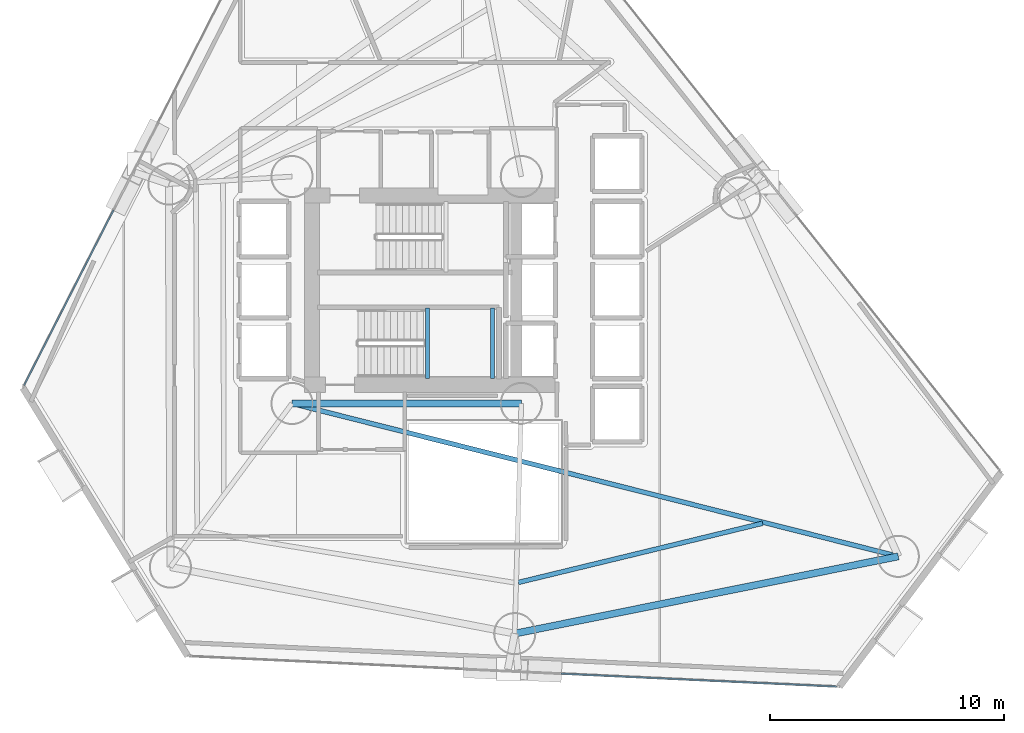
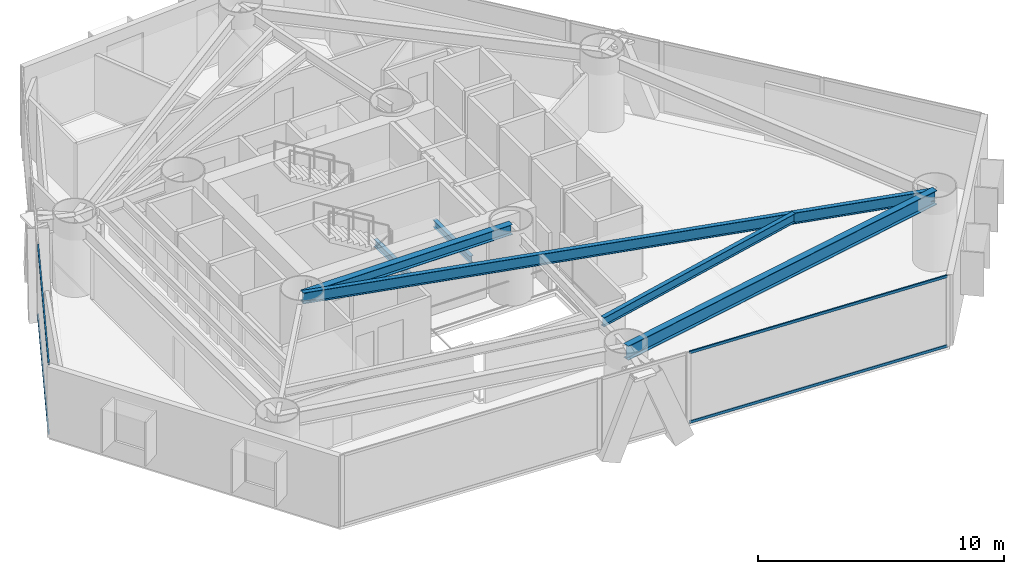
# One storey, part 6 of 23: 6 beams, 4 members, 2 elements without a shape of their own.
"""IFC4 building model written with IfcOpenShell, lengths in metres."""

from ifc_helpers import new_model, si_unit, direction, frame, origin, origin_2d, place, context, subcontext, project, spatial, hollow_rectangle, i_section, extrude, material, layer, layer_set, material_profile, profile_set, type_object, element, aggregate, save


model = new_model("IFC4")

# Units and contexts
model_context = context("Model", 3, precision=1e-05, world=origin(), true_north=direction((0.0, 1.0)))
body_context = subcontext(model_context, "Body", "Model", "MODEL_VIEW")
ifc_project = project(units=[si_unit("LENGTHUNIT", "METRE"), si_unit("AREAUNIT", "SQUARE_METRE"), si_unit("VOLUMEUNIT", "CUBIC_METRE"), si_unit("PLANEANGLEUNIT", "RADIAN"), si_unit("MASSUNIT", "GRAM", prefix="KILO")], contexts=[model_context])

# Site, building, storey
site_placement = place(None, origin())
site = spatial("IfcSite", under=ifc_project, at=site_placement, CompositionType="ELEMENT")
building_placement = place(site_placement, origin())
building = spatial("IfcBuilding", under=site, at=building_placement, Name="Qianvela Tower", CompositionType="ELEMENT")
storey_placement = place(building_placement, frame((0.0, 0.0, 29.39990234375)))
storey = spatial("IfcBuildingStorey", under=building, at=storey_placement, Name="L06", CompositionType="ELEMENT", Elevation=29.39990234375)

# Beams
ifc_material_1 = material(Name="Steel Q355B", Category="steel")
ifc_material_profile_1 = material_profile(ifc_material_1, i_section(OverallWidth=0.300048828125, OverallDepth=0.5, WebThickness=0.010986328125, FlangeThickness=0.01806640625, at=origin_2d()), Name="HM500x300x11x18")
ifc_profile_set_1 = profile_set([ifc_material_profile_1], Name="Steel Q355B")
beam_type_1 = type_object("IfcBeamType", Name="BM-HM500-COLL", PredefinedType="BEAM", material=ifc_profile_set_1)
beam_1_placement = place(storey_placement, frame((28.60009765625, 23.85009765625, 3.26806640625), z_axis=(1.0, 0.0, 0.0), x_axis=(0.0, 1.0, 0.0)))
element("IfcBeam", 1, at=beam_1_placement, inside=storey, type_object=beam_type_1, Name="L06 Core Ring Collector Girder CC1", PredefinedType="BEAM", context=body_context, shape_type="SweptSolid", body=[
    extrude(i_section(OverallWidth=0.300048828125, OverallDepth=0.5, WebThickness=0.010986328125, FlangeThickness=0.01806640625, at=origin_2d()), origin(), (0.0, 0.0, 1.0), 9.7998046875),
])
ifc_material_2 = material(Name="Steel Q355B", Category="steel")
ifc_material_profile_2 = material_profile(ifc_material_2, i_section(OverallWidth=0.175048828125, OverallDepth=0.35009765625, WebThickness=0.007080078125, FlangeThickness=0.010986328125, at=origin_2d()), Name="HN350x175x7x11")
ifc_profile_set_2 = profile_set([ifc_material_profile_2], Name="Steel Q355B")
beam_type_2 = type_object("IfcBeamType", Name="BM-HN350-JOIST", PredefinedType="JOIST", material=ifc_profile_set_2)
for number, where, z_axis, x_axis, name in (
    (2, (34.39990234375, 24.919921875, 1.47509765625), (0.0, 1.0, 0.0), (-1.0, 0.0, 0.0), "L06 Stair ST-2 Landing Support Beam 1.1"),
    (3, (37.169921875, 24.919921875, 1.47509765625), (0.0, 1.0, 0.0), (-1.0, 0.0, 0.0), "L06 Stair ST-2 Landing Support Beam 1.2"),
):
    element("IfcBeam", number, at=place(storey_placement, frame(where, z_axis=z_axis, x_axis=x_axis)), inside=storey, type_object=beam_type_2, Name=name, PredefinedType="JOIST", context=body_context, shape_type="SweptSolid", body=[
        extrude(i_section(OverallWidth=0.175048828125, OverallDepth=0.35009765625, WebThickness=0.007080078125, FlangeThickness=0.010986328125, at=origin_2d()), origin(), (0.0, 0.0, 1.0), 3.02001953125),
    ])
ifc_material_3 = material(Name="Steel Q355B", Category="steel")
ifc_material_profile_3 = material_profile(ifc_material_3, i_section(OverallWidth=0.199951171875, OverallDepth=0.449951171875, WebThickness=0.009033203125, FlangeThickness=0.013916015625, at=origin_2d()), Name="HN450x200x9x14")
ifc_profile_set_3 = profile_set([ifc_material_profile_3], Name="Steel Q355B")
beam_type_3 = type_object("IfcBeamType", Name="BM-HN450-JOIST", PredefinedType="JOIST", material=ifc_profile_set_3)
beam_2_placement = place(storey_placement, frame((38.27490234375, 16.2021484375, 3.293212890625), z_axis=(0.97189533292, 0.235413385024, 0.0), x_axis=(-0.235413385024, 0.97189533292, 0.0)))
element("IfcBeam", 4, at=beam_2_placement, inside=storey, type_object=beam_type_3, Name="L06 Secondary Composite Floor Joist 6.3", PredefinedType="JOIST", context=body_context, shape_type="SweptSolid", body=[
    extrude(i_section(OverallWidth=0.199951171875, OverallDepth=0.449951171875, WebThickness=0.009033203125, FlangeThickness=0.013916015625, at=origin_2d()), origin(), (0.0, 0.0, 1.0), 10.7451171875),
])
ifc_material_4 = material(Name="Steel Q355B", Category="steel")
ifc_material_profile_4 = material_profile(ifc_material_4, i_section(OverallWidth=0.199951171875, OverallDepth=0.550048828125, WebThickness=0.010009765625, FlangeThickness=0.01611328125, at=origin_2d()), Name="HN550x200x10x16")
ifc_profile_set_4 = profile_set([ifc_material_profile_4], Name="Steel Q355B")
beam_type_4 = type_object("IfcBeamType", Name="BM-HN550-GIRD", PredefinedType="BEAM", material=ifc_profile_set_4)
beam_3_placement = place(storey_placement, frame((28.60009765625, 23.85009765625, 3.2431640625), z_axis=(0.969654189465, -0.244480577661, 0.0), x_axis=(0.244480577661, 0.969654189465, 0.0)))
element("IfcBeam", 5, at=beam_3_placement, inside=storey, type_object=beam_type_4, Name="L06 Radial Primary Floor Girder 1", PredefinedType="BEAM", context=body_context, shape_type="SweptSolid", body=[
    extrude(i_section(OverallWidth=0.199951171875, OverallDepth=0.550048828125, WebThickness=0.010009765625, FlangeThickness=0.01611328125, at=origin_2d()), origin(), (0.0, 0.0, 1.0), 26.722900390625),
])
ifc_material_5 = material(Name="Steel Q355B", Category="steel")
ifc_material_profile_5 = material_profile(ifc_material_5, i_section(OverallWidth=0.300048828125, OverallDepth=0.699951171875, WebThickness=0.012939453125, FlangeThickness=0.02392578125, at=origin_2d()), Name="HN700x300x13x24")
ifc_profile_set_5 = profile_set([ifc_material_profile_5], Name="Steel Q355B")
beam_type_5 = type_object("IfcBeamType", Name="BM-HN700-SPAND", PredefinedType="SPANDREL", material=ifc_profile_set_5)
beam_4_placement = place(storey_placement, frame((38.1201171875, 14.01611328125, 3.168212890625), z_axis=(0.980322065881, 0.197404779951, 0.0), x_axis=(-0.197404779951, 0.980322065881, 0.0)))
element("IfcBeam", 6, at=beam_4_placement, inside=storey, type_object=beam_type_5, Name="L06 Perimeter Ring Spandrel Girder 6", PredefinedType="SPANDREL", context=body_context, shape_type="SweptSolid", body=[
    extrude(i_section(OverallWidth=0.300048828125, OverallDepth=0.699951171875, WebThickness=0.012939453125, FlangeThickness=0.02392578125, at=origin_2d()), origin(), (0.0, 0.0, 1.0), 16.720947265625),
])

# Curtain wall, members
ifc_material_6 = material(Name="Anodised Architectural Aluminium and Low-E Glass", Category="aluminium")
ifc_layer = layer(ifc_material_6, 0.179931640625)
ifc_layer_set = layer_set([ifc_layer], Name="Anodised Architectural Aluminium and Low-E Glass")
curtain_wall_type = type_object("IfcCurtainWallType", Name="CW-COLIV-Z12", PredefinedType="USERDEFINED", material=ifc_layer_set)
curtain_wall_1_placement = place(storey_placement, origin())
curtain_wall_1 = element("IfcCurtainWall", 7, at=curtain_wall_1_placement, inside=storey, type_object=curtain_wall_type, Name="L06 CW-COLIV-Z12 Curtain Wall 04C", ObjectType="CURTAIN_WALL_SYSTEM", PredefinedType="USERDEFINED")
ifc_material_7 = material(Name="Anodised Architectural Aluminium 6063-T6", Category="aluminium")
ifc_material_profile_6 = material_profile(ifc_material_7, hollow_rectangle(XDim=0.06494140625, YDim=0.1298828125, WallThickness=0.00439453125, at=origin_2d()), Name="ALU-TRAN-65x130")
ifc_profile_set_6 = profile_set([ifc_material_profile_6], Name="Anodised Architectural Aluminium 6063-T6")
member_type = type_object("IfcMemberType", Name="CW-COLIV-Z12-TRAN", PredefinedType="USERDEFINED", material=ifc_profile_set_6)
member_1_placement = place(storey_placement, frame((20.97412109375, 32.1171875, 0.03271484375), z_axis=(-0.454616975529, -0.890687041312, 0.0), x_axis=(0.890687041312, -0.454616975529, 0.0)))
member_1 = element("IfcMember", 8, at=member_1_placement, type_object=member_type, Name="CW-3 transom 1.1", ObjectType="TRANSOM", PredefinedType="USERDEFINED", context=body_context, shape_type="SweptSolid", body=[
    extrude(hollow_rectangle(XDim=0.06494140625, YDim=0.1298828125, WallThickness=0.00439453125, at=origin_2d()), origin(), (0.0, 0.0, 1.0), 8.411376953125),
])
member_2_placement = place(storey_placement, frame((20.97412109375, 32.1171875, 3.487548828125), z_axis=(-0.454616975529, -0.890687041312, 0.0), x_axis=(0.890687041312, -0.454616975529, 0.0)))
member_2 = element("IfcMember", 9, at=member_2_placement, type_object=member_type, Name="CW-3 transom 1.2", ObjectType="TRANSOM", PredefinedType="USERDEFINED", context=body_context, shape_type="SweptSolid", body=[
    extrude(hollow_rectangle(XDim=0.06494140625, YDim=0.1298828125, WallThickness=0.00439453125, at=origin_2d()), origin(), (0.0, 0.0, 1.0), 8.411376953125),
])
aggregate(curtain_wall_1, [member_1, member_2])

curtain_wall_2_placement = place(storey_placement, origin())
curtain_wall_2 = element("IfcCurtainWall", 10, at=curtain_wall_2_placement, inside=storey, type_object=curtain_wall_type, Name="L06 CW-COLIV-Z12 Curtain Wall 06C", ObjectType="CURTAIN_WALL_SYSTEM", PredefinedType="USERDEFINED")
member_3_placement = place(storey_placement, frame((40.10400390625, 12.3046875, 0.03271484375), z_axis=(0.998901114983, -0.046867499237, 0.0), x_axis=(0.046867499237, 0.998901114983, 0.0)))
member_3 = element("IfcMember", 11, at=member_3_placement, type_object=member_type, Name="CW-3 transom 1.1", ObjectType="TRANSOM", PredefinedType="USERDEFINED", context=body_context, shape_type="SweptSolid", body=[
    extrude(hollow_rectangle(XDim=0.06494140625, YDim=0.1298828125, WallThickness=0.00439453125, at=origin_2d()), origin(), (0.0, 0.0, 1.0), 11.788330078125),
])
member_4_placement = place(storey_placement, frame((40.10400390625, 12.3046875, 3.487548828125), z_axis=(0.998901114983, -0.046867499237, 0.0), x_axis=(0.046867499237, 0.998901114983, 0.0)))
member_4 = element("IfcMember", 12, at=member_4_placement, type_object=member_type, Name="CW-3 transom 1.2", ObjectType="TRANSOM", PredefinedType="USERDEFINED", context=body_context, shape_type="SweptSolid", body=[
    extrude(hollow_rectangle(XDim=0.06494140625, YDim=0.1298828125, WallThickness=0.00439453125, at=origin_2d()), origin(), (0.0, 0.0, 1.0), 11.788330078125),
])
aggregate(curtain_wall_2, [member_3, member_4])

save(model, "model.ifc")
